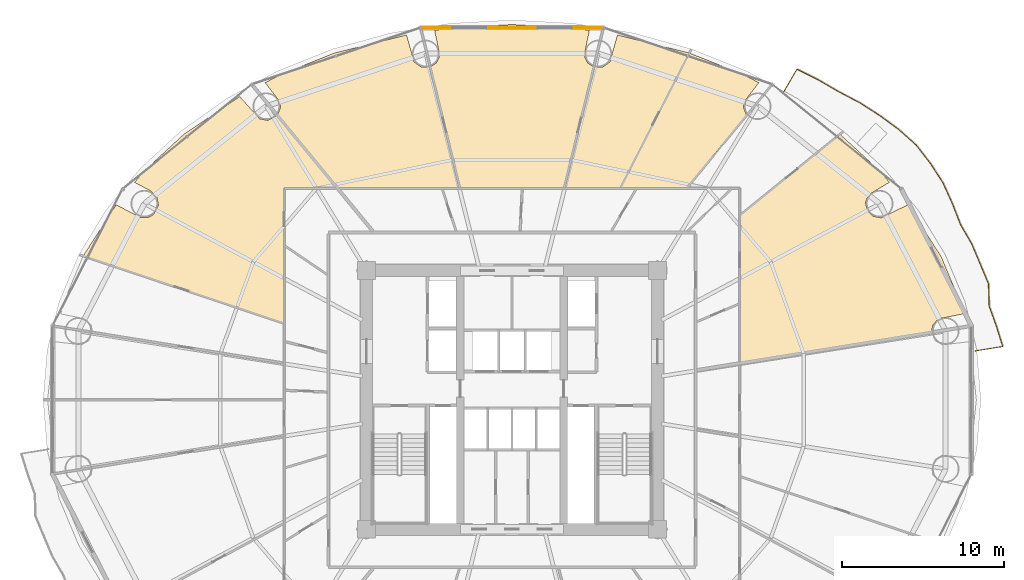
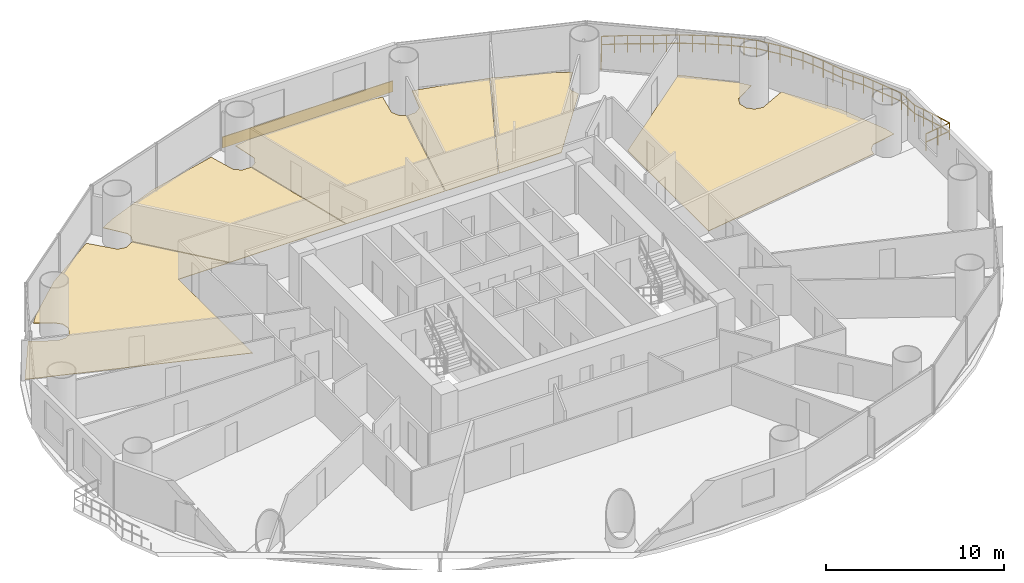
# One storey, part 28 of 28: 7 coverings, 1 railing.
"""IFC4 building model written with IfcOpenShell, lengths in metres."""

from ifc_helpers import new_model, si_unit, direction, frame, origin, origin_2d, place, context, subcontext, project, spatial, polyline, rectangle, outline, extrude, source, transform, mapped, material, layer, layer_set, type_object, element, save


model = new_model("IFC4")

# Units and contexts
model_context = context("Model", 3, precision=1e-05, world=origin(), true_north=direction((-0.2419218956, 0.970295726276)))
body_context = subcontext(model_context, "Body", "Model", "MODEL_VIEW")
ifc_project = project(units=[si_unit("LENGTHUNIT", "METRE"), si_unit("AREAUNIT", "SQUARE_METRE"), si_unit("VOLUMEUNIT", "CUBIC_METRE"), si_unit("PLANEANGLEUNIT", "RADIAN"), si_unit("MASSUNIT", "GRAM", prefix="KILO")], contexts=[model_context])

# Site, building, storey
site_placement = place(None, origin())
site = spatial("IfcSite", under=ifc_project, at=site_placement, CompositionType="ELEMENT")
building_placement = place(site_placement, origin())
building = spatial("IfcBuilding", under=site, at=building_placement, Name="Cobrevalo Terracotta Tower", CompositionType="ELEMENT")
storey_placement = place(building_placement, frame((0.0, 0.0, 34.800048828125)))
storey = spatial("IfcBuildingStorey", under=building, at=storey_placement, Name="L08", CompositionType="ELEMENT", Elevation=34.800048828125)

# Railing
ifc_material_1 = material(Name="Laminated structural glass and stainless steel", Category="steel")
railing_type = type_object("IfcRailingType", Name="Balcony lobe structural glass & terracotta-cap balustrade 1180 mm", PredefinedType="BALUSTRADE", material=ifc_material_1)
railing_placement = place(storey_placement, frame((66.66455078125, 29.832763671875, 0.0)))
element("IfcRailing", 1, at=railing_placement, inside=storey, type_object=railing_type, Name="L08 spiralling balcony lobe balustrade 1", PredefinedType="BALUSTRADE", context=body_context, shape_type="SweptSolid", body=[
    extrude(rectangle(XDim=0.048095703125, YDim=0.048095703125, at=origin_2d()), frame((0.0, 0.0, 1.15576171875), z_axis=(0.987272287846, 0.15903908215, 0.0), x_axis=(-0.15903908215, 0.987272287846, 0.0)), (0.0, 0.0, 1.0), 1.70703125),
    extrude(rectangle(XDim=0.048095703125, YDim=0.048095703125, at=origin_2d()), frame((0.0, 0.0, 0.58984375), z_axis=(0.987272287846, 0.15903908215, 0.0), x_axis=(-0.15903908215, 0.987272287846, 0.0)), (0.0, 0.0, 1.0), 1.70703125),
    extrude(rectangle(XDim=0.048095703125, YDim=0.048095703125, at=origin_2d()), frame((1.685302734375, 0.271484375, 1.15576171875), z_axis=(-0.296654842398, 0.954984766623, 0.0), x_axis=(-0.954984766623, -0.296654842398, 0.0)), (0.0, 0.0, 1.0), 1.32177734375),
    extrude(rectangle(XDim=0.048095703125, YDim=0.048095703125, at=origin_2d()), frame((1.685302734375, 0.271484375, 0.58984375), z_axis=(-0.296654842398, 0.954984766623, 0.0), x_axis=(-0.954984766623, -0.296654842398, 0.0)), (0.0, 0.0, 1.0), 1.32177734375),
    extrude(rectangle(XDim=0.048095703125, YDim=0.048095703125, at=origin_2d()), frame((1.293212890625, 1.53369140625, 1.15576171875), z_axis=(-0.339772350097, 0.940507708692, 0.0), x_axis=(-0.940507708692, -0.339772350097, 0.0)), (0.0, 0.0, 1.0), 1.3134765625),
    extrude(rectangle(XDim=0.048095703125, YDim=0.048095703125, at=origin_2d()), frame((1.293212890625, 1.53369140625, 0.58984375), z_axis=(-0.339772350097, 0.940507708692, 0.0), x_axis=(-0.940507708692, -0.339772350097, 0.0)), (0.0, 0.0, 1.0), 1.3134765625),
    extrude(rectangle(XDim=0.048095703125, YDim=0.048095703125, at=origin_2d()), frame((0.846923828125, 2.76904296875, 1.15576171875), z_axis=(-0.029310309134, 0.999570360594, 0.0), x_axis=(-0.999570360594, -0.029310309134, 0.0)), (0.0, 0.0, 1.0), 1.374267578125),
    extrude(rectangle(XDim=0.048095703125, YDim=0.048095703125, at=origin_2d()), frame((0.846923828125, 2.76904296875, 0.58984375), z_axis=(-0.029310309134, 0.999570360594, 0.0), x_axis=(-0.999570360594, -0.029310309134, 0.0)), (0.0, 0.0, 1.0), 1.374267578125),
    extrude(rectangle(XDim=0.048095703125, YDim=0.048095703125, at=origin_2d()), frame((0.806640625, 4.142822265625, 1.15576171875), z_axis=(-0.385066739852, 0.922888728862, 0.0), x_axis=(-0.922888728862, -0.385066739852, 0.0)), (0.0, 0.0, 1.0), 1.34423828125),
    extrude(rectangle(XDim=0.048095703125, YDim=0.048095703125, at=origin_2d()), frame((0.806640625, 4.142822265625, 0.58984375), z_axis=(-0.385066739852, 0.922888728862, 0.0), x_axis=(-0.922888728862, -0.385066739852, 0.0)), (0.0, 0.0, 1.0), 1.34423828125),
    extrude(rectangle(XDim=0.048095703125, YDim=0.048095703125, at=origin_2d()), frame((0.2890625, 5.38330078125, 1.15576171875), z_axis=(-0.389414506399, 0.92106261579, 0.0), x_axis=(-0.92106261579, -0.389414506399, 0.0)), (0.0, 0.0, 1.0), 1.34228515625),
    extrude(rectangle(XDim=0.048095703125, YDim=0.048095703125, at=origin_2d()), frame((0.2890625, 5.38330078125, 0.58984375), z_axis=(-0.389414506399, 0.92106261579, 0.0), x_axis=(-0.92106261579, -0.389414506399, 0.0)), (0.0, 0.0, 1.0), 1.34228515625),
    extrude(rectangle(XDim=0.048095703125, YDim=0.048095703125, at=origin_2d()), frame((-0.233642578125, 6.61962890625, 1.15576171875), z_axis=(-0.501932464945, 0.864906816156, 0.0), x_axis=(-0.864906816156, -0.501932464945, 0.0)), (0.0, 0.0, 1.0), 1.36328125),
    extrude(rectangle(XDim=0.048095703125, YDim=0.048095703125, at=origin_2d()), frame((-0.233642578125, 6.61962890625, 0.58984375), z_axis=(-0.501932464945, 0.864906816156, 0.0), x_axis=(-0.864906816156, -0.501932464945, 0.0)), (0.0, 0.0, 1.0), 1.36328125),
    extrude(rectangle(XDim=0.048095703125, YDim=0.048095703125, at=origin_2d()), frame((-0.91796875, 7.798828125, 1.15576171875), z_axis=(-0.363627634097, 0.93154438634, 0.0), x_axis=(-0.93154438634, -0.363627634097, 0.0)), (0.0, 0.0, 1.0), 1.395751953125),
    extrude(rectangle(XDim=0.048095703125, YDim=0.048095703125, at=origin_2d()), frame((-0.91796875, 7.798828125, 0.58984375), z_axis=(-0.363627634097, 0.93154438634, 0.0), x_axis=(-0.93154438634, -0.363627634097, 0.0)), (0.0, 0.0, 1.0), 1.395751953125),
    extrude(rectangle(XDim=0.048095703125, YDim=0.048095703125, at=origin_2d()), frame((-1.425537109375, 9.09912109375, 1.15576171875), z_axis=(-0.411425081208, 0.911443581662, 0.0), x_axis=(-0.911443581662, -0.411425081208, 0.0)), (0.0, 0.0, 1.0), 1.41650390625),
    extrude(rectangle(XDim=0.048095703125, YDim=0.048095703125, at=origin_2d()), frame((-1.425537109375, 9.09912109375, 0.58984375), z_axis=(-0.411425081208, 0.911443581662, 0.0), x_axis=(-0.911443581662, -0.411425081208, 0.0)), (0.0, 0.0, 1.0), 1.41650390625),
    extrude(rectangle(XDim=0.048095703125, YDim=0.048095703125, at=origin_2d()), frame((-2.00830078125, 10.39013671875, 1.15576171875), z_axis=(-0.543357311397, 0.839501537909, 0.0), x_axis=(-0.839501537909, -0.543357311397, 0.0)), (0.0, 0.0, 1.0), 1.431884765625),
    extrude(rectangle(XDim=0.048095703125, YDim=0.048095703125, at=origin_2d()), frame((-2.00830078125, 10.39013671875, 0.58984375), z_axis=(-0.543357311397, 0.839501537909, 0.0), x_axis=(-0.839501537909, -0.543357311397, 0.0)), (0.0, 0.0, 1.0), 1.431884765625),
    extrude(rectangle(XDim=0.048095703125, YDim=0.048095703125, at=origin_2d()), frame((-2.786376953125, 11.59228515625, 1.15576171875), z_axis=(-0.611588254894, 0.791176217082, 0.0), x_axis=(-0.791176217082, -0.611588254894, 0.0)), (0.0, 0.0, 1.0), 1.431396484375),
    extrude(rectangle(XDim=0.048095703125, YDim=0.048095703125, at=origin_2d()), frame((-2.786376953125, 11.59228515625, 0.58984375), z_axis=(-0.611588254894, 0.791176217082, 0.0), x_axis=(-0.791176217082, -0.611588254894, 0.0)), (0.0, 0.0, 1.0), 1.431396484375),
    extrude(rectangle(XDim=0.048095703125, YDim=0.048095703125, at=origin_2d()), frame((-3.661865234375, 12.724853515625, 1.15576171875), z_axis=(-0.7448857195, 0.667192074957, 0.0), x_axis=(-0.667192074957, -0.7448857195, 0.0)), (0.0, 0.0, 1.0), 1.454833984375),
    extrude(rectangle(XDim=0.048095703125, YDim=0.048095703125, at=origin_2d()), frame((-3.661865234375, 12.724853515625, 0.58984375), z_axis=(-0.7448857195, 0.667192074957, 0.0), x_axis=(-0.667192074957, -0.7448857195, 0.0)), (0.0, 0.0, 1.0), 1.454833984375),
    extrude(rectangle(XDim=0.048095703125, YDim=0.048095703125, at=origin_2d()), frame((-4.74560546875, 13.695556640625, 1.15576171875), z_axis=(-0.806717911216, 0.590936723959, 0.0), x_axis=(-0.590936723959, -0.806717911216, 0.0)), (0.0, 0.0, 1.0), 1.462890625),
    extrude(rectangle(XDim=0.048095703125, YDim=0.048095703125, at=origin_2d()), frame((-4.74560546875, 13.695556640625, 0.58984375), z_axis=(-0.806717911216, 0.590936723959, 0.0), x_axis=(-0.590936723959, -0.806717911216, 0.0)), (0.0, 0.0, 1.0), 1.462890625),
    extrude(rectangle(XDim=0.048095703125, YDim=0.048095703125, at=origin_2d()), frame((-5.92578125, 14.56005859375, 1.15576171875), z_axis=(-0.842432475125, 0.538801934717, 0.0), x_axis=(-0.538801934717, -0.842432475125, 0.0)), (0.0, 0.0, 1.0), 1.45849609375),
    extrude(rectangle(XDim=0.048095703125, YDim=0.048095703125, at=origin_2d()), frame((-5.92578125, 14.56005859375, 0.58984375), z_axis=(-0.842432475125, 0.538801934717, 0.0), x_axis=(-0.538801934717, -0.842432475125, 0.0)), (0.0, 0.0, 1.0), 1.45849609375),
    extrude(rectangle(XDim=0.048095703125, YDim=0.048095703125, at=origin_2d()), frame((-7.154541015625, 15.345947265625, 1.15576171875), z_axis=(-0.88536743401, 0.464891930232, 0.0), x_axis=(-0.464891930232, -0.88536743401, 0.0)), (0.0, 0.0, 1.0), 1.484130859375),
    extrude(rectangle(XDim=0.048095703125, YDim=0.048095703125, at=origin_2d()), frame((-7.154541015625, 15.345947265625, 0.58984375), z_axis=(-0.88536743401, 0.464891930232, 0.0), x_axis=(-0.464891930232, -0.88536743401, 0.0)), (0.0, 0.0, 1.0), 1.484130859375),
    extrude(rectangle(XDim=0.048095703125, YDim=0.048095703125, at=origin_2d()), frame((-8.468505859375, 16.035888671875, 1.15576171875), z_axis=(-0.864603608279, 0.502454575609, 0.0), x_axis=(-0.502454575609, -0.864603608279, 0.0)), (0.0, 0.0, 1.0), 1.458251953125),
    extrude(rectangle(XDim=0.048095703125, YDim=0.048095703125, at=origin_2d()), frame((-8.468505859375, 16.035888671875, 0.58984375), z_axis=(-0.864603608279, 0.502454575609, 0.0), x_axis=(-0.502454575609, -0.864603608279, 0.0)), (0.0, 0.0, 1.0), 1.458251953125),
    extrude(rectangle(XDim=0.048095703125, YDim=0.048095703125, at=origin_2d()), frame((-9.729248046875, 16.7685546875, 1.15576171875), z_axis=(-0.894857553621, 0.446351832893, 0.0), x_axis=(-0.446351832893, -0.894857553621, 0.0)), (0.0, 0.0, 1.0), 1.4736328125),
    extrude(rectangle(XDim=0.048095703125, YDim=0.048095703125, at=origin_2d()), frame((-9.729248046875, 16.7685546875, 0.58984375), z_axis=(-0.894857553621, 0.446351832893, 0.0), x_axis=(-0.446351832893, -0.894857553621, 0.0)), (0.0, 0.0, 1.0), 1.4736328125),
    extrude(rectangle(XDim=0.048095703125, YDim=0.048095703125, at=origin_2d()), frame((-11.0478515625, 17.42626953125, 1.15576171875), z_axis=(-0.501711514973, -0.865035002612, 0.0), x_axis=(0.865035002612, -0.501711514973, 0.0)), (0.0, 0.0, 1.0), 1.667236328125),
    extrude(rectangle(XDim=0.048095703125, YDim=0.048095703125, at=origin_2d()), frame((-11.0478515625, 17.42626953125, 0.58984375), z_axis=(-0.501711514973, -0.865035002612, 0.0), x_axis=(0.865035002612, -0.501711514973, 0.0)), (0.0, 0.0, 1.0), 1.667236328125),
    extrude(rectangle(XDim=0.0419921875, YDim=0.0419921875, at=origin_2d()), origin(), (0.0, 0.0, 1.0), 1.1318359375),
    extrude(rectangle(XDim=0.0419921875, YDim=0.0419921875, at=origin_2d()), frame((0.8427734375, 0.1357421875, 0.0)), (0.0, 0.0, 1.0), 1.1318359375),
    extrude(rectangle(XDim=0.0419921875, YDim=0.0419921875, at=origin_2d()), frame((1.685302734375, 0.271484375, 0.0)), (0.0, 0.0, 1.0), 1.1318359375),
    extrude(rectangle(XDim=0.0419921875, YDim=0.0419921875, at=origin_2d()), frame((1.4892578125, 0.902587890625, 0.0)), (0.0, 0.0, 1.0), 1.1318359375),
    extrude(rectangle(XDim=0.0419921875, YDim=0.0419921875, at=origin_2d()), frame((1.293212890625, 1.53369140625, 0.0)), (0.0, 0.0, 1.0), 1.1318359375),
    extrude(rectangle(XDim=0.0419921875, YDim=0.0419921875, at=origin_2d()), frame((1.070068359375, 2.1513671875, 0.0)), (0.0, 0.0, 1.0), 1.1318359375),
    extrude(rectangle(XDim=0.0419921875, YDim=0.0419921875, at=origin_2d()), frame((0.846923828125, 2.76904296875, 0.0)), (0.0, 0.0, 1.0), 1.1318359375),
    extrude(rectangle(XDim=0.0419921875, YDim=0.0419921875, at=origin_2d()), frame((0.82666015625, 3.4560546875, 0.0)), (0.0, 0.0, 1.0), 1.1318359375),
    extrude(rectangle(XDim=0.0419921875, YDim=0.0419921875, at=origin_2d()), frame((0.806640625, 4.142822265625, 0.0)), (0.0, 0.0, 1.0), 1.1318359375),
    extrude(rectangle(XDim=0.0419921875, YDim=0.0419921875, at=origin_2d()), frame((0.5478515625, 4.76318359375, 0.0)), (0.0, 0.0, 1.0), 1.1318359375),
    extrude(rectangle(XDim=0.0419921875, YDim=0.0419921875, at=origin_2d()), frame((0.2890625, 5.38330078125, 0.0)), (0.0, 0.0, 1.0), 1.1318359375),
    extrude(rectangle(XDim=0.0419921875, YDim=0.0419921875, at=origin_2d()), frame((0.02783203125, 6.00146484375, 0.0)), (0.0, 0.0, 1.0), 1.1318359375),
    extrude(rectangle(XDim=0.0419921875, YDim=0.0419921875, at=origin_2d()), frame((-0.233642578125, 6.61962890625, 0.0)), (0.0, 0.0, 1.0), 1.1318359375),
    extrude(rectangle(XDim=0.0419921875, YDim=0.0419921875, at=origin_2d()), frame((-0.57568359375, 7.209228515625, 0.0)), (0.0, 0.0, 1.0), 1.1318359375),
    extrude(rectangle(XDim=0.0419921875, YDim=0.0419921875, at=origin_2d()), frame((-0.91796875, 7.798828125, 0.0)), (0.0, 0.0, 1.0), 1.1318359375),
    extrude(rectangle(XDim=0.0419921875, YDim=0.0419921875, at=origin_2d()), frame((-1.171875, 8.448974609375, 0.0)), (0.0, 0.0, 1.0), 1.1318359375),
    extrude(rectangle(XDim=0.0419921875, YDim=0.0419921875, at=origin_2d()), frame((-1.425537109375, 9.09912109375, 0.0)), (0.0, 0.0, 1.0), 1.1318359375),
    extrude(rectangle(XDim=0.0419921875, YDim=0.0419921875, at=origin_2d()), frame((-1.716796875, 9.74462890625, 0.0)), (0.0, 0.0, 1.0), 1.1318359375),
    extrude(rectangle(XDim=0.0419921875, YDim=0.0419921875, at=origin_2d()), frame((-2.00830078125, 10.39013671875, 0.0)), (0.0, 0.0, 1.0), 1.1318359375),
    extrude(rectangle(XDim=0.0419921875, YDim=0.0419921875, at=origin_2d()), frame((-2.3974609375, 10.9912109375, 0.0)), (0.0, 0.0, 1.0), 1.1318359375),
    extrude(rectangle(XDim=0.0419921875, YDim=0.0419921875, at=origin_2d()), frame((-2.786376953125, 11.59228515625, 0.0)), (0.0, 0.0, 1.0), 1.1318359375),
    extrude(rectangle(XDim=0.0419921875, YDim=0.0419921875, at=origin_2d()), frame((-3.22412109375, 12.15869140625, 0.0)), (0.0, 0.0, 1.0), 1.1318359375),
    extrude(rectangle(XDim=0.0419921875, YDim=0.0419921875, at=origin_2d()), frame((-3.661865234375, 12.724853515625, 0.0)), (0.0, 0.0, 1.0), 1.1318359375),
    extrude(rectangle(XDim=0.0419921875, YDim=0.0419921875, at=origin_2d()), frame((-4.20361328125, 13.210205078125, 0.0)), (0.0, 0.0, 1.0), 1.1318359375),
    extrude(rectangle(XDim=0.0419921875, YDim=0.0419921875, at=origin_2d()), frame((-4.74560546875, 13.695556640625, 0.0)), (0.0, 0.0, 1.0), 1.1318359375),
    extrude(rectangle(XDim=0.0419921875, YDim=0.0419921875, at=origin_2d()), frame((-5.335693359375, 14.1279296875, 0.0)), (0.0, 0.0, 1.0), 1.1318359375),
    extrude(rectangle(XDim=0.0419921875, YDim=0.0419921875, at=origin_2d()), frame((-5.92578125, 14.56005859375, 0.0)), (0.0, 0.0, 1.0), 1.1318359375),
    extrude(rectangle(XDim=0.0419921875, YDim=0.0419921875, at=origin_2d()), frame((-6.5400390625, 14.953125, 0.0)), (0.0, 0.0, 1.0), 1.1318359375),
    extrude(rectangle(XDim=0.0419921875, YDim=0.0419921875, at=origin_2d()), frame((-7.154541015625, 15.345947265625, 0.0)), (0.0, 0.0, 1.0), 1.1318359375),
    extrude(rectangle(XDim=0.0419921875, YDim=0.0419921875, at=origin_2d()), frame((-7.8115234375, 15.69091796875, 0.0)), (0.0, 0.0, 1.0), 1.1318359375),
    extrude(rectangle(XDim=0.0419921875, YDim=0.0419921875, at=origin_2d()), frame((-8.468505859375, 16.035888671875, 0.0)), (0.0, 0.0, 1.0), 1.1318359375),
    extrude(rectangle(XDim=0.0419921875, YDim=0.0419921875, at=origin_2d()), frame((-9.098876953125, 16.40234375, 0.0)), (0.0, 0.0, 1.0), 1.1318359375),
    extrude(rectangle(XDim=0.0419921875, YDim=0.0419921875, at=origin_2d()), frame((-9.729248046875, 16.7685546875, 0.0)), (0.0, 0.0, 1.0), 1.1318359375),
    extrude(rectangle(XDim=0.0419921875, YDim=0.0419921875, at=origin_2d()), frame((-10.388671875, 17.097412109375, 0.0)), (0.0, 0.0, 1.0), 1.1318359375),
    extrude(rectangle(XDim=0.0419921875, YDim=0.0419921875, at=origin_2d()), frame((-11.0478515625, 17.42626953125, 0.0)), (0.0, 0.0, 1.0), 1.1318359375),
    extrude(rectangle(XDim=0.0419921875, YDim=0.0419921875, at=origin_2d()), frame((-11.466064453125, 16.705078125, 0.0)), (0.0, 0.0, 1.0), 1.1318359375),
    extrude(rectangle(XDim=0.0419921875, YDim=0.0419921875, at=origin_2d()), frame((-11.88427734375, 15.984130859375, 0.0)), (0.0, 0.0, 1.0), 1.1318359375),
])

# Coverings
ifc_material_2 = material(Name="Engineered Brazilian hardwood flooring", Category="wood")
ifc_layer_1 = layer(ifc_material_2, 0.028076171875)
ifc_layer_set_1 = layer_set([ifc_layer_1], Name="Engineered Brazilian hardwood flooring")
covering_type_1 = type_object("IfcCoveringType", Name="Engineered Hardwood Suite Flooring 28", PredefinedType="FLOORING", material=ifc_layer_set_1)
covering_1_placement = place(storey_placement, origin())
element("IfcCovering", 2, at=covering_1_placement, inside=storey, type_object=covering_type_1, Name="Flat L08A Penthouse Living and Dining Room floor finish", PredefinedType="FLOORING", context=body_context, shape_type="SweptSolid", body=[
    extrude(outline(polyline([(60.786376953125, 40.933837890625), (61.34423828125, 40.2587890625), (60.060791015625, 39.497802734375), (59.864990234375, 39.02587890625), (59.96435546875, 38.524658203125), (60.325439453125, 38.163330078125), (60.826416015625, 38.063232421875), (62.488037109375, 38.87451171875), (64.534423828125, 35.684326171875), (65.74169921875, 32.80859375), (65.909423828125, 32.126220703125), (64.3642578125, 31.81298828125), (64.025146484375, 31.4306640625), (63.95068359375, 31.003173828125), (52.10498046875, 29.09375), (52.10498046875, 38.2041015625), (58.298583984375, 43.222900390625), (60.786376953125, 40.933837890625)])), origin(), (0.0, 0.0, 1.0), 0.030029296875),
])
covering_2_placement = place(storey_placement, origin())
element("IfcCovering", 3, at=covering_2_placement, inside=storey, type_object=covering_type_1, Name="Flat L08A Principal Guest Bedroom floor finish", PredefinedType="FLOORING", context=body_context, shape_type="SweptSolid", body=[
    extrude(outline(polyline([(52.361572265625, 46.908203125), (53.26318359375, 46.421142578125), (52.35498046875, 45.23095703125), (52.318115234375, 44.889404296875), (52.5048828125, 44.42236328125), (48.780029296875, 39.905029296875), (44.72119140625, 39.905029296875), (48.9873046875, 48.251220703125), (52.361572265625, 46.908203125)])), origin(), (0.0, 0.0, 1.0), 0.030029296875),
])
covering_3_placement = place(storey_placement, origin())
element("IfcCovering", 4, at=covering_3_placement, inside=storey, type_object=covering_type_1, Name="Flat L08A Principal Guest Bedroom floor finish", PredefinedType="FLOORING", context=body_context, shape_type="SweptSolid", body=[
    extrude(outline(polyline([(48.948974609375, 48.263671875), (44.67626953125, 39.905029296875), (41.237548828125, 39.905029296875), (43.075439453125, 47.39306640625), (43.63330078125, 47.40185546875), (44.04345703125, 47.706787109375), (44.527587890625, 49.37451171875), (48.948974609375, 48.263671875)])), origin(), (0.0, 0.0, 1.0), 0.030029296875),
])
covering_4_placement = place(storey_placement, origin())
element("IfcCovering", 5, at=covering_4_placement, inside=storey, type_object=covering_type_1, Name="Flat L08A Penthouse Family Lounge floor finish", PredefinedType="FLOORING", context=body_context, shape_type="SweptSolid", body=[
    extrude(outline(polyline([(38.0, 50.02001953125), (41.749267578125, 49.8212890625), (42.78369140625, 49.65478515625), (42.46533203125, 48.099853515625), (42.6845703125, 47.63818359375), (43.03759765625, 47.406494140625), (41.1962890625, 39.905029296875), (34.8037109375, 39.905029296875), (32.96240234375, 47.406494140625), (33.3154296875, 47.63818359375), (33.53466796875, 48.099853515625), (33.21630859375, 49.65478515625), (34.250732421875, 49.8212890625), (38.0, 50.02001953125)])), origin(), (0.0, 0.0, 1.0), 0.030029296875),
])
covering_5_placement = place(storey_placement, origin())
element("IfcCovering", 6, at=covering_5_placement, inside=storey, type_object=covering_type_1, Name="Flat L08A Penthouse Family Lounge floor finish", PredefinedType="FLOORING", context=body_context, shape_type="SweptSolid", body=[
    extrude(outline(polyline([(23.4951171875, 44.42236328125), (23.681884765625, 44.889404296875), (23.64501953125, 45.23095703125), (22.73681640625, 46.421142578125), (23.638427734375, 46.908203125), (27.008056640625, 48.251953125), (31.472412109375, 49.37451171875), (31.95654296875, 47.706787109375), (32.36669921875, 47.40185546875), (32.924560546875, 47.39306640625), (34.762451171875, 39.905029296875), (27.219970703125, 39.905029296875), (23.4951171875, 44.42236328125)])), origin(), (0.0, 0.0, 1.0), 0.030029296875),
])
covering_6_placement = place(storey_placement, origin())
element("IfcCovering", 7, at=covering_6_placement, inside=storey, type_object=covering_type_1, Name="Flat L08B Penthouse Living and Dining Room floor finish", PredefinedType="FLOORING", context=body_context, shape_type="SweptSolid", body=[
    extrude(outline(polyline([(13.511962890625, 38.87451171875), (15.00439453125, 38.096923828125), (15.51513671875, 38.09716796875), (15.818115234375, 38.25927734375), (16.13525390625, 38.853515625), (16.03515625, 39.3544921875), (15.674560546875, 39.715087890625), (14.65576171875, 40.2587890625), (15.213623046875, 40.933837890625), (17.6904296875, 43.217529296875), (21.156494140625, 45.567138671875), (22.3974609375, 44.1875), (22.899658203125, 44.092529296875), (23.468017578125, 44.392578125), (27.168212890625, 39.905029296875), (23.89501953125, 39.905029296875), (23.89501953125, 31.555419921875), (11.4873046875, 35.72021484375), (13.511962890625, 38.87451171875)])), origin(), (0.0, 0.0, 1.0), 0.030029296875),
])
ifc_material_3 = material(Name="Glazed terracotta facade cladding tile", Category="masonry")
ifc_layer_2 = layer(ifc_material_3, 0.044921875)
ifc_layer_set_2 = layer_set([ifc_layer_2], Name="Glazed terracotta facade cladding tile")
covering_type_2 = type_object("IfcCoveringType", Name="Architectural terracotta rainscreen spandrel cladding 45 mm", PredefinedType="CLADDING", material=ifc_layer_set_2)
shared_shape = source(origin(), body_context, "Body", "SweptSolid", [
    extrude(rectangle(XDim=11.103515625, YDim=0.044921875, at=origin_2d()), origin(), (0.0, 0.0, 1.0), 0.760009765625),
])
covering_7_placement = place(storey_placement, frame((38.0, 49.819091796875, 0.0400390625), z_axis=(0.0, 0.0, 1.0), x_axis=(-1.0, 0.0, 0.0)))
element("IfcCovering", 8, at=covering_7_placement, inside=storey, type_object=covering_type_2, Name="L08 terracotta spandrel cladding S04", PredefinedType="CLADDING", context=body_context, shape_type="MappedRepresentation", body=[
    mapped(shared_shape, transform((0.0, 0.0, 0.0), scale=1.0)),
])

save(model, "model.ifc")
